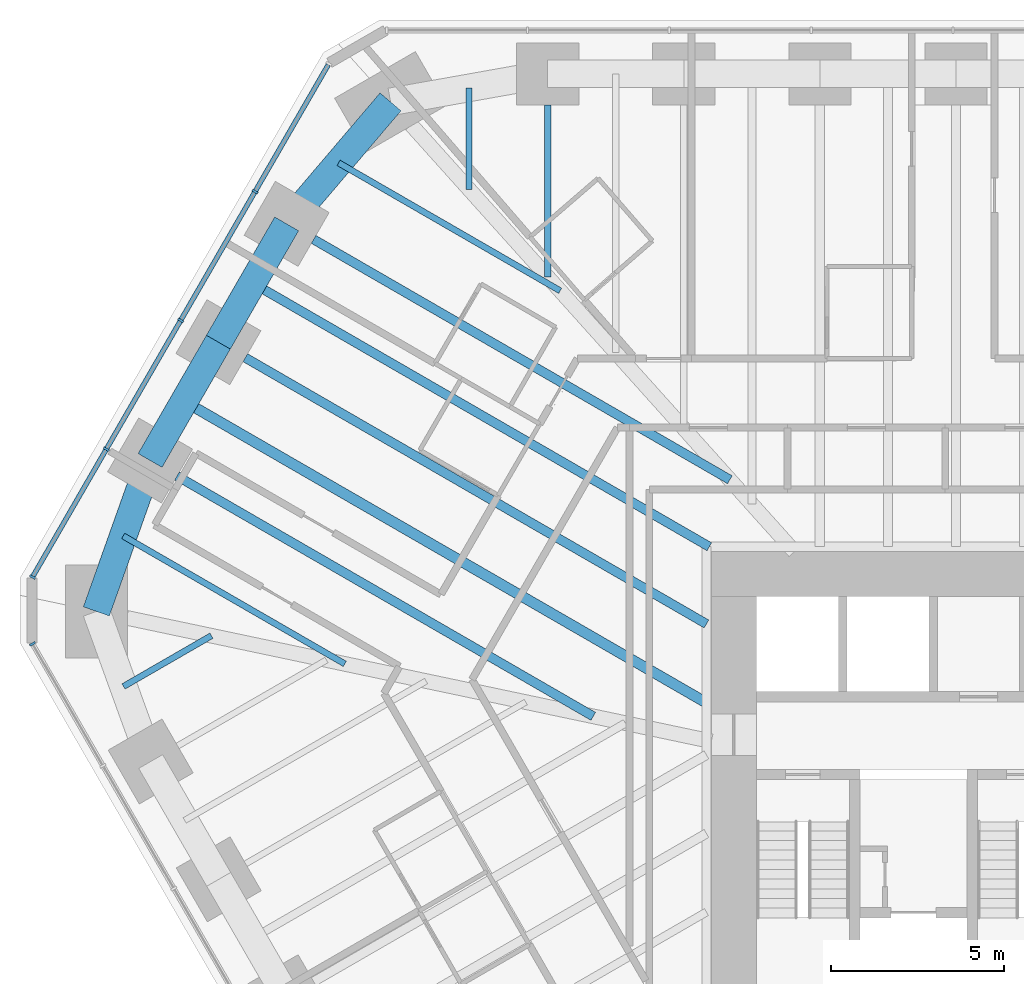
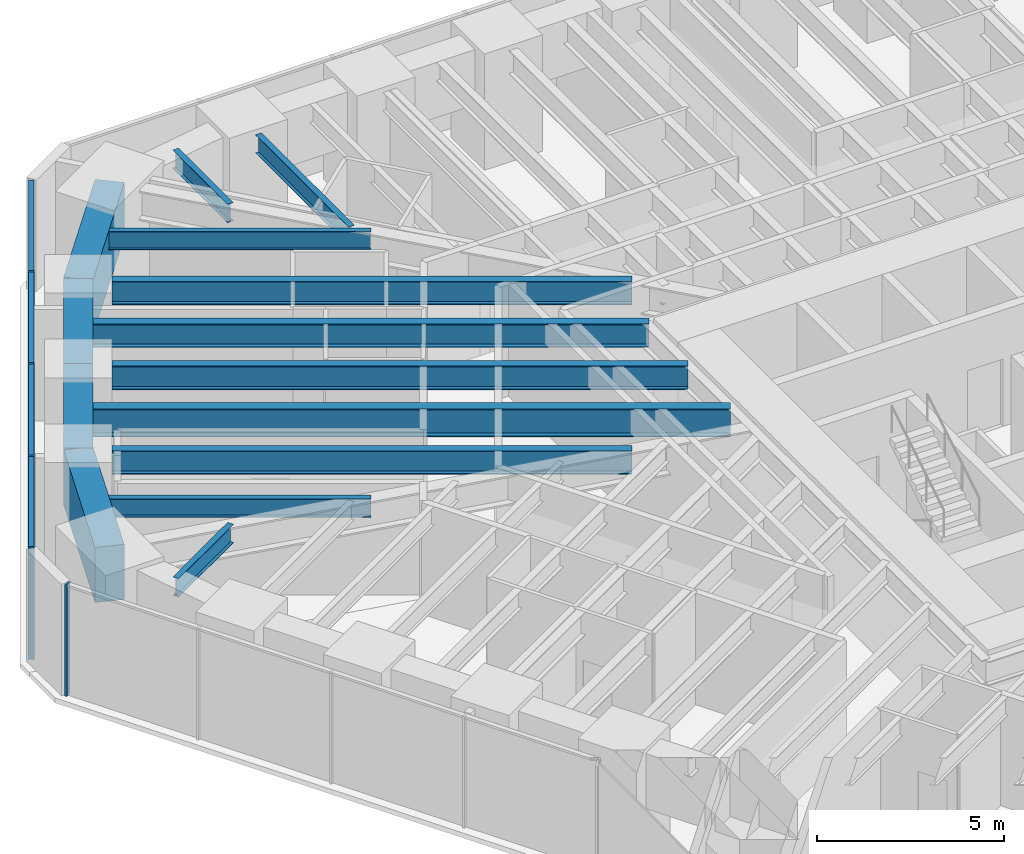
# One storey, part 7 of 17: 14 beams, 9 members, 2 elements without a shape of their own.
"""IFC4 building model written with IfcOpenShell, lengths in metres."""

from ifc_helpers import new_model, si_unit, direction, frame, origin, origin_2d, place, context, subcontext, project, spatial, rectangle, i_section, extrude, material, material_profile, profile_set, type_object, element, aggregate, save


model = new_model("IFC4")

# Units and contexts
model_context = context("Model", 3, precision=1e-05, world=origin(), true_north=direction((0.0, 1.0)))
body_context = subcontext(model_context, "Body", "Model", "MODEL_VIEW")
ifc_project = project(units=[si_unit("LENGTHUNIT", "METRE"), si_unit("AREAUNIT", "SQUARE_METRE"), si_unit("VOLUMEUNIT", "CUBIC_METRE"), si_unit("PLANEANGLEUNIT", "RADIAN"), si_unit("MASSUNIT", "GRAM", prefix="KILO")], contexts=[model_context])

# Site, building, storey
site_placement = place(None, origin())
site = spatial("IfcSite", under=ifc_project, at=site_placement, CompositionType="ELEMENT")
building_placement = place(site_placement, origin())
building = spatial("IfcBuilding", under=site, at=building_placement, Name="Sandreach Pilgrim Tower", CompositionType="ELEMENT")
storey_placement = place(building_placement, frame((0.0, 0.0, 119.60009765625)))
storey = spatial("IfcBuildingStorey", under=building, at=storey_placement, Name="L29", CompositionType="ELEMENT", Elevation=119.60009765625)

# Curtain wall, member
ifc_material_1 = material(Name="Aluminium framed curtain wall", Category="aluminium")
curtain_wall_type = type_object("IfcCurtainWallType", Name="Hotel tower curtain wall", PredefinedType="NOTDEFINED", material=ifc_material_1)
curtain_wall_1_placement = place(storey_placement, origin())
curtain_wall_1 = element("IfcCurtainWall", 1, at=curtain_wall_1_placement, inside=storey, type_object=curtain_wall_type, Name="CW-2 L29 SW", PredefinedType="NOTDEFINED")
ifc_material_2 = material(Name="Aluminium extrusion", Category="aluminium")
ifc_material_profile_1 = material_profile(ifc_material_2, rectangle(XDim=0.06494140625, YDim=0.179931640625, at=origin_2d()), Name="CW-2M 65X180")
ifc_profile_set_1 = profile_set([ifc_material_profile_1], Name="Aluminium extrusion")
member_type_1 = type_object("IfcMemberType", Name="CW-2 mullion", PredefinedType="MULLION", material=ifc_profile_set_1)
member_1_placement = place(storey_placement, frame((-28.70458984375, 4.730224609375, 0.0), z_axis=(0.0, 0.0, 1.0), x_axis=(-0.5, 0.866025403784, 0.0)))
member_1 = element("IfcMember", 2, at=member_1_placement, type_object=member_type_1, Name="CW-2 mullion 10", PredefinedType="MULLION", context=body_context, shape_type="SweptSolid", body=[
    extrude(rectangle(XDim=0.06494140625, YDim=0.179931640625, at=origin_2d()), origin(), (0.0, 0.0, 1.0), 3.639892578125),
])
aggregate(curtain_wall_1, [member_1])

# Curtain wall, members
curtain_wall_2_placement = place(storey_placement, origin())
curtain_wall_2 = element("IfcCurtainWall", 3, at=curtain_wall_2_placement, inside=storey, type_object=curtain_wall_type, Name="CW-2 L29 NW", PredefinedType="NOTDEFINED")
member_2_placement = place(storey_placement, frame((-28.70458984375, 6.66650390625, 0.0), z_axis=(0.0, 0.0, 1.0), x_axis=(0.5, 0.866025403784, 0.0)))
member_2 = element("IfcMember", 4, at=member_2_placement, type_object=member_type_1, Name="CW-2 mullion 1", PredefinedType="MULLION", context=body_context, shape_type="SweptSolid", body=[
    extrude(rectangle(XDim=0.06494140625, YDim=0.179931640625, at=origin_2d()), origin(), (0.0, 0.0, 1.0), 3.639892578125),
])
member_3_placement = place(storey_placement, frame((-26.568115234375, 10.3671875, 0.0), z_axis=(0.0, 0.0, 1.0), x_axis=(0.5, 0.866025403784, 0.0)))
member_3 = element("IfcMember", 5, at=member_3_placement, type_object=member_type_1, Name="CW-2 mullion 2", PredefinedType="MULLION", context=body_context, shape_type="SweptSolid", body=[
    extrude(rectangle(XDim=0.06494140625, YDim=0.179931640625, at=origin_2d()), origin(), (0.0, 0.0, 1.0), 3.639892578125),
])
member_4_placement = place(storey_placement, frame((-24.415283203125, 14.09619140625, 0.0), z_axis=(0.0, 0.0, 1.0), x_axis=(0.5, 0.866025403784, 0.0)))
member_4 = element("IfcMember", 6, at=member_4_placement, type_object=member_type_1, Name="CW-2 mullion 3", PredefinedType="MULLION", context=body_context, shape_type="SweptSolid", body=[
    extrude(rectangle(XDim=0.06494140625, YDim=0.179931640625, at=origin_2d()), origin(), (0.0, 0.0, 1.0), 3.639892578125),
])
member_5_placement = place(storey_placement, frame((-22.262451171875, 17.824951171875, 0.0), z_axis=(0.0, 0.0, 1.0), x_axis=(0.5, 0.866025403784, 0.0)))
member_5 = element("IfcMember", 7, at=member_5_placement, type_object=member_type_1, Name="CW-2 mullion 4", PredefinedType="MULLION", context=body_context, shape_type="SweptSolid", body=[
    extrude(rectangle(XDim=0.06494140625, YDim=0.179931640625, at=origin_2d()), origin(), (0.0, 0.0, 1.0), 3.639892578125),
])
ifc_material_3 = material(Name="Aluminium extrusion", Category="aluminium")
ifc_material_profile_2 = material_profile(ifc_material_3, rectangle(XDim=0.139892578125, YDim=0.070068359375, at=origin_2d()), Name="CW-2T 140X70")
ifc_profile_set_2 = profile_set([ifc_material_profile_2], Name="Aluminium extrusion")
member_type_2 = type_object("IfcMemberType", Name="CW-2 transom", PredefinedType="USERDEFINED", material=ifc_profile_set_2)
member_6_placement = place(storey_placement, frame((-28.6884765625, 6.69482421875, 3.60498046875), z_axis=(0.500038835258, 0.866002981077, 0.0), x_axis=(-0.866002981077, 0.500038835258, 0.0)))
member_6 = element("IfcMember", 8, at=member_6_placement, type_object=member_type_2, Name="CW-2 head transom 1", ObjectType="TRANSOM", PredefinedType="USERDEFINED", context=body_context, shape_type="SweptSolid", body=[
    extrude(rectangle(XDim=0.139892578125, YDim=0.070068359375, at=origin_2d()), origin(), (0.0, 0.0, 1.0), 4.208251953125),
])
member_7_placement = place(storey_placement, frame((-26.5517578125, 10.3955078125, 3.60498046875), z_axis=(0.500021471012, 0.866013007135, 0.0), x_axis=(-0.866013007135, 0.500021471012, 0.0)))
member_7 = element("IfcMember", 9, at=member_7_placement, type_object=member_type_2, Name="CW-2 head transom 2", ObjectType="TRANSOM", PredefinedType="USERDEFINED", context=body_context, shape_type="SweptSolid", body=[
    extrude(rectangle(XDim=0.139892578125, YDim=0.070068359375, at=origin_2d()), origin(), (0.0, 0.0, 1.0), 4.240478515625),
])
member_8_placement = place(storey_placement, frame((-24.39892578125, 14.124267578125, 3.60498046875), z_axis=(0.499996541496, 0.866027400544, 0.0), x_axis=(-0.866027400544, 0.499996541496, 0.0)))
member_8 = element("IfcMember", 10, at=member_8_placement, type_object=member_type_2, Name="CW-2 head transom 3", ObjectType="TRANSOM", PredefinedType="USERDEFINED", context=body_context, shape_type="SweptSolid", body=[
    extrude(rectangle(XDim=0.139892578125, YDim=0.070068359375, at=origin_2d()), origin(), (0.0, 0.0, 1.0), 4.24072265625),
])
member_9_placement = place(storey_placement, frame((-22.24609375, 17.85302734375, 3.60498046875), z_axis=(0.49997020258, 0.86604260665, 0.0), x_axis=(-0.86604260665, 0.49997020258, 0.0)))
member_9 = element("IfcMember", 11, at=member_9_placement, type_object=member_type_2, Name="CW-2 head transom 4", ObjectType="TRANSOM", PredefinedType="USERDEFINED", context=body_context, shape_type="SweptSolid", body=[
    extrude(rectangle(XDim=0.139892578125, YDim=0.070068359375, at=origin_2d()), origin(), (0.0, 0.0, 1.0), 4.208251953125),
])
aggregate(curtain_wall_2, [member_2, member_3, member_4, member_5, member_6, member_7, member_8, member_9])

# Beams
ifc_material_4 = material(Name="Steel ASTM A992 Grade 50", Category="steel")
ifc_material_profile_3 = material_profile(ifc_material_4, i_section(OverallWidth=0.1787109375, OverallDepth=0.60205078125, WebThickness=0.010986328125, FlangeThickness=0.014892578125, at=origin_2d()), Name="W24X62")
ifc_profile_set_3 = profile_set([ifc_material_profile_3], Name="Steel ASTM A992 Grade 50")
beam_type_1 = type_object("IfcBeamType", Name="Floor beam W24X62", PredefinedType="BEAM", material=ifc_profile_set_3)
beam_1_placement = place(storey_placement, frame((-13.789794921875, 20.333740234375, 3.3388671875), z_axis=(0.0, -1.0, 0.0), x_axis=(1.0, 0.0, 0.0)))
element("IfcBeam", 12, at=beam_1_placement, inside=storey, type_object=beam_type_1, Name="BM L29 F01", PredefinedType="BEAM", context=body_context, shape_type="SweptSolid", body=[
    extrude(i_section(OverallWidth=0.1787109375, OverallDepth=0.60205078125, WebThickness=0.010986328125, FlangeThickness=0.014892578125, at=origin_2d()), origin(), (0.0, 0.0, 1.0), 4.9765625),
])
beam_2_placement = place(storey_placement, frame((-26.070556640625, 3.498046875, 3.3388671875), z_axis=(0.866051374412, 0.499955014855, 0.0), x_axis=(-0.499955014855, 0.866051374412, 0.0)))
element("IfcBeam", 13, at=beam_2_placement, inside=storey, type_object=beam_type_1, Name="BM L29 FM34", PredefinedType="BEAM", context=body_context, shape_type="SweptSolid", body=[
    extrude(i_section(OverallWidth=0.1787109375, OverallDepth=0.60205078125, WebThickness=0.010986328125, FlangeThickness=0.014892578125, at=origin_2d()), origin(), (0.0, 0.0, 1.0), 2.938232421875),
])
for number, where, z_axis, x_axis, name in (
    (14, (-26.079345703125, 7.855712890625, 3.3388671875), (0.866025875064, -0.499999183719, 0.0), (0.499999183719, 0.866025875064, 0.0), "BM L29 FM35"),
    (15, (-19.8427734375, 18.65771484375, 3.3388671875), (0.866025875064, -0.499999183719, 0.0), (0.499999183719, 0.866025875064, 0.0), "BM L29 FM38"),
):
    element("IfcBeam", number, at=place(storey_placement, frame(where, z_axis=z_axis, x_axis=x_axis)), inside=storey, type_object=beam_type_1, Name=name, PredefinedType="BEAM", context=body_context, shape_type="SweptSolid", body=[
        extrude(i_section(OverallWidth=0.1787109375, OverallDepth=0.60205078125, WebThickness=0.010986328125, FlangeThickness=0.014892578125, at=origin_2d()), origin(), (0.0, 0.0, 1.0), 7.40771484375),
    ])
beam_3_placement = place(storey_placement, frame((-16.064697265625, 20.828857421875, 3.3388671875), z_axis=(0.0, -1.0, 0.0), x_axis=(1.0, 0.0, 0.0)))
element("IfcBeam", 16, at=beam_3_placement, inside=storey, type_object=beam_type_1, Name="BM L29 FM39", PredefinedType="BEAM", context=body_context, shape_type="SweptSolid", body=[
    extrude(i_section(OverallWidth=0.1787109375, OverallDepth=0.60205078125, WebThickness=0.010986328125, FlangeThickness=0.014892578125, at=origin_2d()), origin(), (0.0, 0.0, 1.0), 2.938232421875),
])
ifc_material_5 = material(Name="Steel ASTM A992 Grade 50", Category="steel")
ifc_material_profile_4 = material_profile(ifc_material_5, i_section(OverallWidth=0.2666015625, OverallDepth=0.761962890625, WebThickness=0.014404296875, FlangeThickness=0.021484375, at=origin_2d()), Name="W30X116")
ifc_profile_set_4 = profile_set([ifc_material_profile_4], Name="Steel ASTM A992 Grade 50")
beam_type_2 = type_object("IfcBeamType", Name="Floor beam W30X116", PredefinedType="BEAM", material=ifc_profile_set_4)
beam_4_placement = place(storey_placement, frame((-24.522216796875, 9.5908203125, 3.2587890625), z_axis=(0.866026649588, -0.499997842199, 0.0), x_axis=(0.499997842199, 0.866026649588, 0.0)))
element("IfcBeam", 17, at=beam_4_placement, inside=storey, type_object=beam_type_2, Name="BM L29 F36", PredefinedType="BEAM", context=body_context, shape_type="SweptSolid", body=[
    extrude(i_section(OverallWidth=0.2666015625, OverallDepth=0.761962890625, WebThickness=0.014404296875, FlangeThickness=0.021484375, at=origin_2d()), origin(), (0.0, 0.0, 1.0), 13.91552734375),
])
beam_5_placement = place(storey_placement, frame((-20.56689453125, 16.44140625, 3.2587890625), z_axis=(0.866022263426, -0.500005439221, 0.0), x_axis=(0.500005439221, 0.866022263426, 0.0)))
element("IfcBeam", 18, at=beam_5_placement, inside=storey, type_object=beam_type_2, Name="BM L29 F38", PredefinedType="BEAM", context=body_context, shape_type="SweptSolid", body=[
    extrude(i_section(OverallWidth=0.2666015625, OverallDepth=0.761962890625, WebThickness=0.014404296875, FlangeThickness=0.021484375, at=origin_2d()), origin(), (0.0, 0.0, 1.0), 13.915283203125),
])
ifc_material_6 = material(Name="Steel ASTM A992 Grade 50", Category="steel")
ifc_material_profile_5 = material_profile(ifc_material_6, i_section(OverallWidth=0.2666015625, OverallDepth=0.77978515625, WebThickness=0.0166015625, FlangeThickness=0.030029296875, at=origin_2d()), Name="W30X148")
ifc_profile_set_5 = profile_set([ifc_material_profile_5], Name="Steel ASTM A992 Grade 50")
beam_type_3 = type_object("IfcBeamType", Name="Floor beam W30X148", PredefinedType="BEAM", material=ifc_profile_set_5)
beam_6_placement = place(storey_placement, frame((-22.544677734375, 13.01611328125, 3.25), z_axis=(0.866029203842, -0.49999341805, 0.0), x_axis=(0.49999341805, 0.866029203842, 0.0)))
element("IfcBeam", 19, at=beam_6_placement, inside=storey, type_object=beam_type_3, Name="BM L29 F37", PredefinedType="BEAM", context=body_context, shape_type="SweptSolid", body=[
    extrude(i_section(OverallWidth=0.2666015625, OverallDepth=0.77978515625, WebThickness=0.0166015625, FlangeThickness=0.030029296875, at=origin_2d()), origin(), (0.0, 0.0, 1.0), 15.416748046875),
])
beam_7_placement = place(storey_placement, frame((-22.335205078125, 15.1787109375, 3.25), z_axis=(0.866028773314, -0.499994163758, 0.0), x_axis=(0.499994163758, 0.866028773314, 0.0)))
element("IfcBeam", 20, at=beam_7_placement, inside=storey, type_object=beam_type_3, Name="BM L29 FM37", PredefinedType="BEAM", context=body_context, shape_type="SweptSolid", body=[
    extrude(i_section(OverallWidth=0.2666015625, OverallDepth=0.77978515625, WebThickness=0.0166015625, FlangeThickness=0.030029296875, at=origin_2d()), origin(), (0.0, 0.0, 1.0), 15.270751953125),
])
ifc_material_7 = material(Name="Steel ASTM A992 Grade 50", Category="steel")
ifc_material_profile_6 = material_profile(ifc_material_7, i_section(OverallWidth=0.3046875, OverallDepth=0.914306640625, WebThickness=0.0166015625, FlangeThickness=0.02587890625, at=origin_2d()), Name="W36X160")
ifc_profile_set_6 = profile_set([ifc_material_profile_6], Name="Steel ASTM A992 Grade 50")
beam_type_4 = type_object("IfcBeamType", Name="Floor beam W36X160", PredefinedType="BEAM", material=ifc_profile_set_6)
beam_8_placement = place(storey_placement, frame((-24.312744140625, 11.75341796875, 3.1826171875), z_axis=(0.866023737483, -0.500002886107, 0.0), x_axis=(0.500002886107, 0.866023737483, 0.0)))
element("IfcBeam", 21, at=beam_8_placement, inside=storey, type_object=beam_type_4, Name="BM L29 FM36", PredefinedType="BEAM", context=body_context, shape_type="SweptSolid", body=[
    extrude(i_section(OverallWidth=0.3046875, OverallDepth=0.914306640625, WebThickness=0.0166015625, FlangeThickness=0.02587890625, at=origin_2d()), origin(), (0.0, 0.0, 1.0), 17.45849609375),
])
ifc_material_8 = material(Name="Concrete 10000 psi", Category="concrete")
ifc_material_profile_7 = material_profile(ifc_material_8, rectangle(XDim=0.800048828125, YDim=1.800048828125, at=origin_2d()), Name="RC800X1800")
ifc_profile_set_7 = profile_set([ifc_material_profile_7], Name="Concrete 10000 psi")
beam_type_5 = type_object("IfcBeamType", Name="Spandrel beam RC800X1800", PredefinedType="SPANDREL", material=ifc_profile_set_7)
beam_9_placement = place(storey_placement, frame((-26.857177734375, 5.67041015625, 2.739990234375), z_axis=(0.335346041399, 0.942095023083, 0.0), x_axis=(-0.942095023083, 0.335346041399, 0.0)))
element("IfcBeam", 22, at=beam_9_placement, inside=storey, type_object=beam_type_5, Name="BM L29 SP35", PredefinedType="SPANDREL", context=body_context, shape_type="SweptSolid", body=[
    extrude(rectangle(XDim=0.800048828125, YDim=1.800048828125, at=origin_2d()), origin(), (0.0, 0.0, 1.0), 4.638916015625),
])
for number, where, z_axis, x_axis, name in (
    (23, (-25.301513671875, 10.040771484375, 2.739990234375), (0.499989616998, 0.866031398331, 0.0), (-0.866031398331, 0.499989616998, 0.0), "BM L29 SP36"),
    (24, (-23.323974609375, 13.466064453125, 2.739990234375), (0.499989616998, 0.866031398331, 0.0), (-0.866031398331, 0.499989616998, 0.0), "BM L29 SP37"),
):
    element("IfcBeam", number, at=place(storey_placement, frame(where, z_axis=z_axis, x_axis=x_axis)), inside=storey, type_object=beam_type_5, Name=name, PredefinedType="SPANDREL", context=body_context, shape_type="SweptSolid", body=[
        extrude(rectangle(XDim=0.800048828125, YDim=1.800048828125, at=origin_2d()), origin(), (0.0, 0.0, 1.0), 3.955078125),
    ])
beam_10_placement = place(storey_placement, frame((-21.346435546875, 16.891357421875, 2.739990234375), z_axis=(0.648208888384, 0.761462564425, 0.0), x_axis=(-0.761462564425, 0.648208888384, 0.0)))
element("IfcBeam", 25, at=beam_10_placement, inside=storey, type_object=beam_type_5, Name="BM L29 SP38", PredefinedType="SPANDREL", context=body_context, shape_type="SweptSolid", body=[
    extrude(rectangle(XDim=0.800048828125, YDim=1.800048828125, at=origin_2d()), origin(), (0.0, 0.0, 1.0), 4.63916015625),
])

save(model, "model.ifc")
